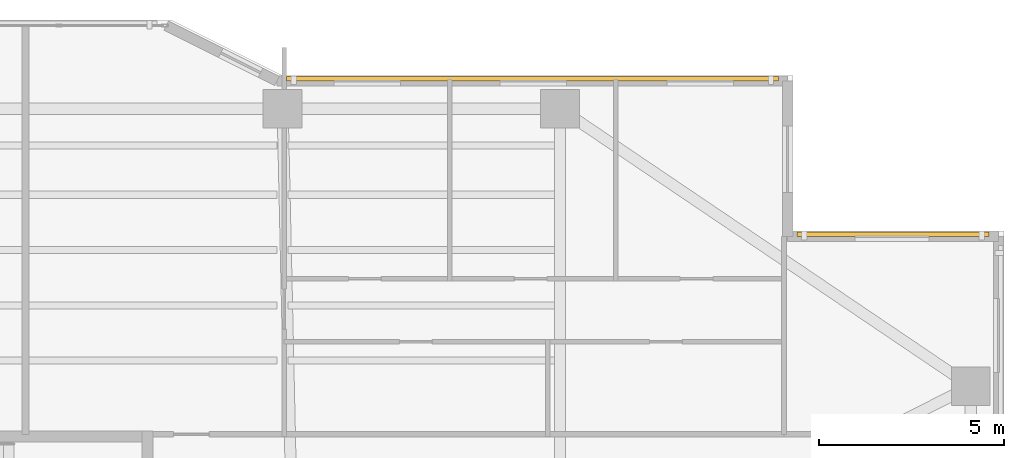
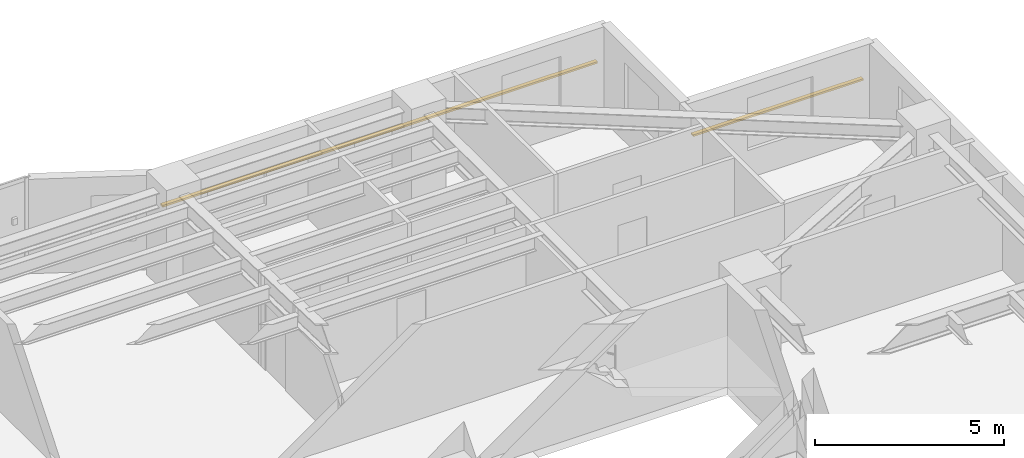
# One storey, part 18 of 18: 2 shading devices.
"""IFC4 building model written with IfcOpenShell, lengths in metres."""

from ifc_helpers import new_model, si_unit, direction, frame, origin, origin_2d, place, context, subcontext, project, spatial, rectangle, extrude, material, material_profile, profile_set, type_object, element, save


model = new_model("IFC4")

# Units and contexts
model_context = context("Model", 3, precision=1e-05, world=origin(), true_north=direction((0.0, 1.0)))
body_context = subcontext(model_context, "Body", "Model", "MODEL_VIEW")
ifc_project = project(units=[si_unit("LENGTHUNIT", "METRE"), si_unit("AREAUNIT", "SQUARE_METRE"), si_unit("VOLUMEUNIT", "CUBIC_METRE"), si_unit("PLANEANGLEUNIT", "RADIAN"), si_unit("MASSUNIT", "GRAM", prefix="KILO")], contexts=[model_context])

# Site, building, storey
site_placement = place(None, origin())
site = spatial("IfcSite", under=ifc_project, at=site_placement, CompositionType="ELEMENT")
building_placement = place(site_placement, origin())
building = spatial("IfcBuilding", under=site, at=building_placement, Name="Tarnavaz Court Tower", CompositionType="ELEMENT")
storey_placement = place(building_placement, frame((0.0, 0.0, 115.14990234375)))
storey = spatial("IfcBuildingStorey", under=building, at=storey_placement, Name="L31", CompositionType="ELEMENT", Elevation=115.14990234375)

# Shading devices
ifc_material = material(Name="Kiln-Fired Khorasan Terracotta Ceramic", Category="masonry")
ifc_material_profile = material_profile(ifc_material, rectangle(XDim=0.1201171875, YDim=0.06005859375, at=origin_2d()), Name="TC BAGUETTE 120X60")
ifc_profile_set = profile_set([ifc_material_profile], Name="Kiln-Fired Khorasan Terracotta Ceramic")
shading_device_type = type_object("IfcShadingDeviceType", Name="SD-BAG-120", PredefinedType="USERDEFINED", material=ifc_profile_set)
shading_device_1_placement = place(storey_placement, frame((7.60009765625, 22.110107421875, 1.85009765625), z_axis=(1.0, 0.0, 0.0), x_axis=(0.0, 1.0, 0.0)))
element("IfcShadingDevice", 1, at=shading_device_1_placement, inside=storey, type_object=shading_device_type, Name="L31 Terracotta Baguette Screen FBG09", ObjectType="BAGUETTE", PredefinedType="USERDEFINED", context=body_context, shape_type="SweptSolid", body=[
    extrude(rectangle(XDim=0.1201171875, YDim=0.06005859375, at=origin_2d()), origin(), (0.0, 0.0, 1.0), 13.2998046875),
])
shading_device_2_placement = place(storey_placement, frame((21.39990234375, 17.909912109375, 1.85009765625), z_axis=(1.0, 0.0, 0.0), x_axis=(0.0, 1.0, 0.0)))
element("IfcShadingDevice", 2, at=shading_device_2_placement, inside=storey, type_object=shading_device_type, Name="L31 Terracotta Baguette Screen FBG11", ObjectType="BAGUETTE", PredefinedType="USERDEFINED", context=body_context, shape_type="SweptSolid", body=[
    extrude(rectangle(XDim=0.1201171875, YDim=0.06005859375, at=origin_2d()), origin(), (0.0, 0.0, 1.0), 5.2001953125),
])

save(model, "model.ifc")
